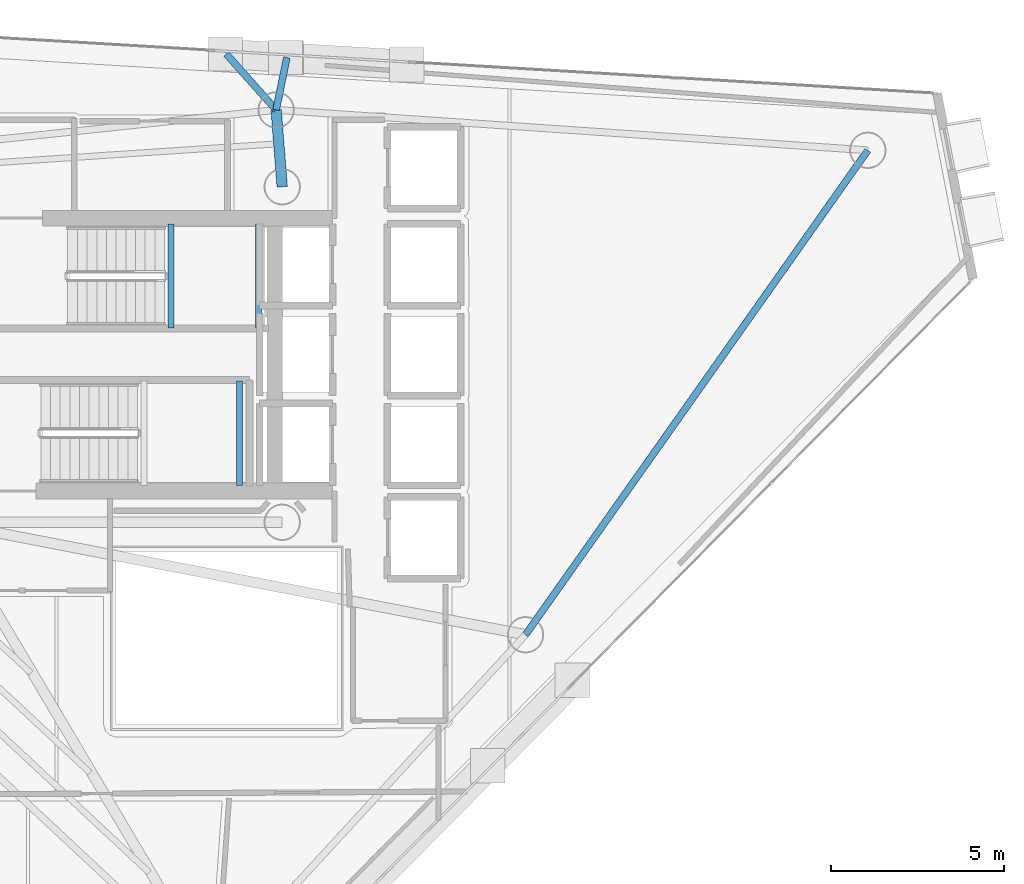
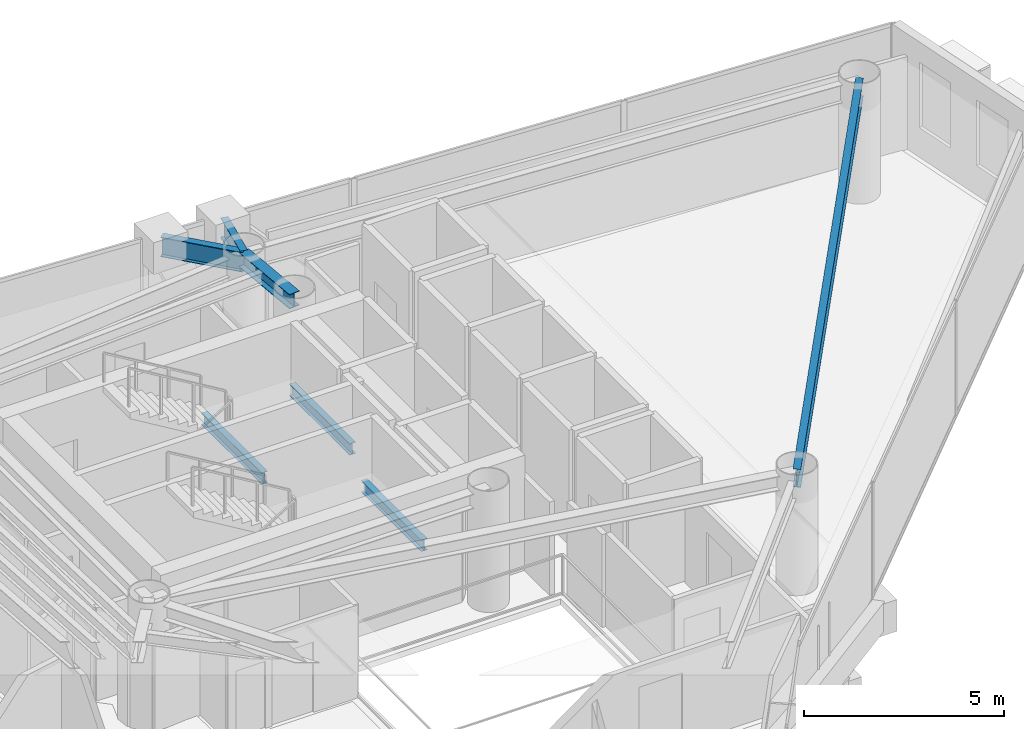
# One storey, part 11 of 20: 7 beams.
"""IFC4 building model written with IfcOpenShell, lengths in metres."""

import ifcopenshell
import ifcopenshell.guid

model = None  # the IFC model being written
_history = None  # IfcOwnerHistory: only IFC2X3 demands one
_inside = {}  # id of a spatial element -> (the spatial element, [elements in it])
_under = {}  # id of a project, library or spatial element -> (it, [spatial elements below it])
_declared = {}  # id of a project -> (the project, [libraries it declares])
_typed = {}  # id of a type object -> (the type object, [elements of that type])
_made_of = {}  # id of a material, layer set ... -> (it, [elements and type objects made of it])


def new_model(schema):
    """Start an empty IFC model of exactly this schema.

    Asked for "IFC4X3", IfcOpenShell would pick the latest addendum, in which some entities
    have other attributes; the version numbers below select the first issue.
    IFC2X3 requires an IfcOwnerHistory on every rooted entity: one is made here for all.
    """
    global model, _history
    if schema == "IFC4X3":
        model = ifcopenshell.file(schema_version=(4, 3, 0, 0))
    else:
        model = ifcopenshell.file(schema=schema)
    _inside.clear()
    _under.clear()
    _declared.clear()
    _typed.clear()
    _made_of.clear()
    _history = None
    if model.schema == "IFC2X3":
        org = make("IfcOrganization", Name="unknown")
        user = make(
            "IfcPersonAndOrganization",
            ThePerson=make("IfcPerson", FamilyName="unknown"),
            TheOrganization=org,
        )
        app = make(
            "IfcApplication",
            ApplicationDeveloper=org,
            Version="unknown",
            ApplicationFullName="unknown",
            ApplicationIdentifier="unknown",
        )
        _history = make(
            "IfcOwnerHistory",
            OwningUser=user,
            OwningApplication=app,
            ChangeAction="ADDED",
            CreationDate=0,
        )
    return model


def make(cls, **values):
    """One entity of the class cls with the attributes given. An attribute that is None is left unset."""
    return model.create_entity(
        cls, **{name: value for name, value in values.items() if value is not None}
    )


def rooted(cls, **values):
    """An entity with a GlobalId (a new one), such as an element, a storey or a relation."""
    return make(cls, GlobalId=ifcopenshell.guid.new(), OwnerHistory=_history, **values)


def si_unit(unit_type, name, prefix=None):
    """IfcSIUnit, for example si_unit("LENGTHUNIT", "METRE", prefix="MILLI")."""
    return make("IfcSIUnit", UnitType=unit_type, Prefix=prefix, Name=name)


def assignment(units):
    """IfcUnitAssignment: the units of a project."""
    return None if units is None else make("IfcUnitAssignment", Units=units)


def point(xyz):
    """IfcCartesianPoint."""
    return None if xyz is None else make("IfcCartesianPoint", Coordinates=xyz)


def direction(xyz):
    """IfcDirection."""
    return None if xyz is None else make("IfcDirection", DirectionRatios=xyz)


def frame(location, z_axis=None, x_axis=None):
    """IfcAxis2Placement3D, a coordinate frame: its origin and axes. An axis left out is left unset."""
    return make(
        "IfcAxis2Placement3D",
        Location=point(location),
        Axis=direction(z_axis),
        RefDirection=direction(x_axis),
    )


def frame_2d(location, x_axis=None):
    """IfcAxis2Placement2D, a coordinate frame in the plane: its origin and x axis."""
    return make(
        "IfcAxis2Placement2D", Location=point(location), RefDirection=direction(x_axis)
    )


def origin():
    """The frame at (0, 0, 0) with its axes left unset."""
    return frame((0.0, 0.0, 0.0))


def origin_2d():
    """The frame at (0, 0) in the plane with its x axis left unset."""
    return frame_2d((0.0, 0.0))


def place(relative_to, where):
    """IfcLocalPlacement: puts the frame where relative to a parent placement (None: the world)."""
    return make(
        "IfcLocalPlacement", PlacementRelTo=relative_to, RelativePlacement=where
    )


def context(
    kind, dimensions, precision=None, world=None, true_north=None, identifier=None
):
    """IfcGeometricRepresentationContext, for example the 3D "Model" context."""
    return make(
        "IfcGeometricRepresentationContext",
        ContextIdentifier=identifier,
        ContextType=kind,
        CoordinateSpaceDimension=dimensions,
        Precision=precision,
        WorldCoordinateSystem=world,
        TrueNorth=true_north,
    )


def subcontext(parent, identifier, kind, view, scale=None):
    """IfcGeometricRepresentationSubContext, for example "Body" below "Model"."""
    return make(
        "IfcGeometricRepresentationSubContext",
        ContextIdentifier=identifier,
        ContextType=kind,
        ParentContext=parent,
        TargetScale=scale,
        TargetView=view,
    )


def project(units=None, contexts=None):
    """IfcProject with its units and contexts."""
    return rooted(
        "IfcProject",
        Name="project",
        RepresentationContexts=contexts,
        UnitsInContext=assignment(units),
    )


def spatial(cls, under=None, at=None, **own):
    """A site, building, storey or space (cls), placed at a placement, below another one or the project."""
    s = rooted(cls, ObjectPlacement=at, **own)
    if under is not None:
        _under.setdefault(under.id(), (under, []))[1].append(s)
    return s


def profile(cls, at=None, kind="AREA", **sizes):
    """A parametric profile (cls). Its sizes go by their IFC names, for example OverallWidth=200.0."""
    return make(cls, ProfileType=kind, Position=at, **sizes)


def i_section(**sizes):
    """IfcIShapeProfileDef."""
    return profile("IfcIShapeProfileDef", **sizes)


def extrude(swept, where, along, depth):
    """IfcExtrudedAreaSolid: the profile swept, set in the frame where, extruded along a direction by depth."""
    return make(
        "IfcExtrudedAreaSolid",
        SweptArea=swept,
        Position=where,
        ExtrudedDirection=direction(along),
        Depth=depth,
    )


def shape(context_of_items, identifier, shape_type, items):
    """IfcShapeRepresentation: the items that make up one representation, for example the "Body"."""
    return make(
        "IfcShapeRepresentation",
        ContextOfItems=context_of_items,
        RepresentationIdentifier=identifier,
        RepresentationType=shape_type,
        Items=items,
    )


def material(Name=None, Category=None):
    """IfcMaterial."""
    return make("IfcMaterial", Name=Name, Category=Category)


def material_profile(
    of_material, cross_section, Name=None, Category=None, Priority=None
):
    """IfcMaterialProfile: a cross section and its material."""
    return make(
        "IfcMaterialProfile",
        Name=Name,
        Material=of_material,
        Profile=cross_section,
        Priority=Priority,
        Category=Category,
    )


def profile_set(profiles, Name=None, composite=None):
    """IfcMaterialProfileSet."""
    return make(
        "IfcMaterialProfileSet",
        Name=Name,
        MaterialProfiles=profiles,
        CompositeProfile=composite,
    )


def made_of(thing, what):
    """Note that an element or type object is made of a material, layer set ...; save() writes the relation."""
    if what is not None:
        _made_of.setdefault(what.id(), (what, []))[1].append(thing)
    return thing


def type_object(cls, material=None, **own):
    """A type object (cls), such as IfcWallType, which elements share."""
    return made_of(rooted(cls, **own), material)


def element(
    cls,
    number,
    at=None,
    inside=None,
    cuts=None,
    type_object=None,
    material=None,
    context=None,
    identifier="Body",
    shape_type=None,
    held_by="IfcProductDefinitionShape",
    body=None,
    shapes=None,
    **own,
):
    """One element of the class cls, such as IfcWall. Its Tag is "e" and its number.

    at: its placement. inside: the storey or other place that contains it. cuts: it is an
    opening in that element (IfcRelVoidsElement). A single representation is given by context,
    identifier, shape_type and body (its items); several are given by shapes. held_by: the class
    of the entity that holds the representations. save() writes the other relations.
    """
    e = rooted(cls, Tag="e%d" % number, ObjectPlacement=at, **own)
    if body is not None:
        shapes = [shape(context, identifier, shape_type, body)]
    if shapes is not None:
        e.Representation = make(held_by, Representations=shapes)
    if inside is not None:
        _inside.setdefault(inside.id(), (inside, []))[1].append(e)
    if cuts is not None:
        rooted(
            "IfcRelVoidsElement", RelatingBuildingElement=cuts, RelatedOpeningElement=e
        )
    if type_object is not None:
        _typed.setdefault(type_object.id(), (type_object, []))[1].append(e)
    return made_of(e, material)


def aggregate(whole, parts):
    """IfcRelAggregates: a whole, such as a stair, and the parts it consists of."""
    return rooted("IfcRelAggregates", RelatingObject=whole, RelatedObjects=parts)


def save(model, path):
    """Write the relations noted so far, then the file.

    IfcRelAggregates (storeys below a building ...), IfcRelContainedInSpatialStructure (elements
    in a storey), IfcRelDefinesByType, IfcRelAssociatesMaterial and IfcRelDeclares: one each for
    every whole, place, type object, material and project.
    """
    for whole, parts in _under.values():
        aggregate(whole, parts)
    for where, things in _inside.values():
        rooted(
            "IfcRelContainedInSpatialStructure",
            RelatedElements=things,
            RelatingStructure=where,
        )
    for kind, things in _typed.values():
        rooted("IfcRelDefinesByType", RelatedObjects=things, RelatingType=kind)
    for what, things in _made_of.values():
        rooted("IfcRelAssociatesMaterial", RelatedObjects=things, RelatingMaterial=what)
    for by, libraries in _declared.values():
        rooted("IfcRelDeclares", RelatingContext=by, RelatedDefinitions=libraries)
    model.write(path)


model = new_model("IFC4")

# Units and contexts
model_context = context("Model", 3, precision=1e-05, world=origin(), true_north=direction((0.0, 1.0)))
body_context = subcontext(model_context, "Body", "Model", "MODEL_VIEW")
ifc_project = project(units=[si_unit("LENGTHUNIT", "METRE"), si_unit("AREAUNIT", "SQUARE_METRE"), si_unit("VOLUMEUNIT", "CUBIC_METRE"), si_unit("PLANEANGLEUNIT", "RADIAN"), si_unit("MASSUNIT", "GRAM", prefix="KILO")], contexts=[model_context])

# Site, building, storey
site_placement = place(None, origin())
site = spatial("IfcSite", under=ifc_project, at=site_placement, CompositionType="ELEMENT")
building_placement = place(site_placement, origin())
building = spatial("IfcBuilding", under=site, at=building_placement, Name="Qianvela Tower", CompositionType="ELEMENT")
storey_placement = place(building_placement, frame((0.0, 0.0, 239.0)))
storey = spatial("IfcBuildingStorey", under=building, at=storey_placement, Name="L61", CompositionType="ELEMENT", Elevation=239.0)

# Beams
ifc_material_1 = material(Name="Steel Q355B", Category="steel")
ifc_material_profile_1 = material_profile(ifc_material_1, i_section(OverallWidth=0.300048828125, OverallDepth=0.43994140625, WebThickness=0.010986328125, FlangeThickness=0.01806640625, at=origin_2d()), Name="HM440x300x11x18")
ifc_profile_set_1 = profile_set([ifc_material_profile_1], Name="Steel Q355B")
beam_type_1 = type_object("IfcBeamType", Name="BM-HM440-COLL", PredefinedType="BEAM", material=ifc_profile_set_1)
beam_1_placement = place(storey_placement, frame((38.39990234375, 33.550048828125, 3.298095703125), z_axis=(-0.078396085685, 0.996922290727, 0.0), x_axis=(-0.996922290727, -0.078396085685, 0.0)))
element("IfcBeam", 1, at=beam_1_placement, inside=storey, type_object=beam_type_1, Name="L61 Radial Primary Floor Girder 2", PredefinedType="BEAM", context=body_context, shape_type="SweptSolid", body=[
    extrude(i_section(OverallWidth=0.300048828125, OverallDepth=0.43994140625, WebThickness=0.010986328125, FlangeThickness=0.01806640625, at=origin_2d()), origin(), (0.0, 0.0, 1.0), 2.229736328125),
])
ifc_material_2 = material(Name="Steel Q355B", Category="steel")
ifc_material_profile_2 = material_profile(ifc_material_2, i_section(OverallWidth=0.175048828125, OverallDepth=0.35009765625, WebThickness=0.007080078125, FlangeThickness=0.010986328125, at=origin_2d()), Name="HN350x175x7x11")
ifc_profile_set_2 = profile_set([ifc_material_profile_2], Name="Steel Q355B")
beam_type_2 = type_object("IfcBeamType", Name="BM-HN350-JOIST", PredefinedType="JOIST", material=ifc_profile_set_2)
for number, where, z_axis, x_axis, name in (
    (2, (35.179931640625, 29.4599609375, 1.47509765625), (0.0, 1.0, 0.0), (-1.0, 0.0, 0.0), "L61 Stair ST-1 Landing Support Beam 1.1"),
    (3, (37.719970703125, 29.4599609375, 1.47509765625), (0.0, 1.0, 0.0), (-1.0, 0.0, 0.0), "L61 Stair ST-1 Landing Support Beam 1.2"),
    (4, (37.169921875, 24.919921875, 1.47509765625), (0.0, 1.0, 0.0), (-1.0, 0.0, 0.0), "L61 Stair ST-2 Landing Support Beam 1.2"),
):
    element("IfcBeam", number, at=place(storey_placement, frame(where, z_axis=z_axis, x_axis=x_axis)), inside=storey, type_object=beam_type_2, Name=name, PredefinedType="JOIST", context=body_context, shape_type="SweptSolid", body=[
        extrude(i_section(OverallWidth=0.175048828125, OverallDepth=0.35009765625, WebThickness=0.007080078125, FlangeThickness=0.010986328125, at=origin_2d()), origin(), (0.0, 0.0, 1.0), 3.02001953125),
    ])
ifc_material_3 = material(Name="Steel Q355B", Category="steel")
ifc_material_profile_3 = material_profile(ifc_material_3, i_section(OverallWidth=0.199951171875, OverallDepth=0.550048828125, WebThickness=0.010009765625, FlangeThickness=0.01611328125, at=origin_2d()), Name="HN550x200x10x16")
ifc_profile_set_3 = profile_set([ifc_material_profile_3], Name="Steel Q355B")
beam_type_3 = type_object("IfcBeamType", Name="BM-HN550-GIRD", PredefinedType="BEAM", material=ifc_profile_set_3)
beam_2_placement = place(storey_placement, frame((45.43603515625, 20.597900390625, 3.242919921875), z_axis=(0.577019604961, 0.816730295441, 0.0), x_axis=(-0.816730295441, 0.577019604961, 0.0)))
element("IfcBeam", 5, at=beam_2_placement, inside=storey, type_object=beam_type_3, Name="L61 Perimeter Ring Spandrel Girder 6", PredefinedType="BEAM", context=body_context, shape_type="SweptSolid", body=[
    extrude(i_section(OverallWidth=0.199951171875, OverallDepth=0.550048828125, WebThickness=0.010009765625, FlangeThickness=0.01611328125, at=origin_2d()), origin(), (0.0, 0.0, 1.0), 17.150146484375),
])
ifc_material_4 = material(Name="Steel Q355B", Category="steel")
ifc_material_profile_4 = material_profile(ifc_material_4, i_section(OverallWidth=0.199951171875, OverallDepth=0.60009765625, WebThickness=0.010986328125, FlangeThickness=0.01708984375, at=origin_2d()), Name="HN600x200x11x17")
ifc_profile_set_4 = profile_set([ifc_material_profile_4], Name="Steel Q355B")
beam_type_4 = type_object("IfcBeamType", Name="BM-HN600-GIRD", PredefinedType="BEAM", material=ifc_profile_set_4)
beam_3_placement = place(storey_placement, frame((38.22509765625, 35.77294921875, 3.218017578125), z_axis=(0.200768961201, 0.979638619195, 0.0), x_axis=(-0.979638619195, 0.200768961201, 0.0)))
element("IfcBeam", 6, at=beam_3_placement, inside=storey, type_object=beam_type_4, Name="L61 Mega-Brace Column Tie Bracket F1-1", PredefinedType="BEAM", context=body_context, shape_type="SweptSolid", body=[
    extrude(i_section(OverallWidth=0.199951171875, OverallDepth=0.60009765625, WebThickness=0.010986328125, FlangeThickness=0.01708984375, at=origin_2d()), origin(), (0.0, 0.0, 1.0), 1.543212890625),
])
beam_4_placement = place(storey_placement, frame((38.22509765625, 35.77294921875, 3.218017578125), z_axis=(-0.665378726459, 0.74650596138, 0.0), x_axis=(-0.74650596138, -0.665378726459, 0.0)))
element("IfcBeam", 7, at=beam_4_placement, inside=storey, type_object=beam_type_4, Name="L61 Mega-Brace Column Tie Bracket F1-2", PredefinedType="BEAM", context=body_context, shape_type="SweptSolid", body=[
    extrude(i_section(OverallWidth=0.199951171875, OverallDepth=0.60009765625, WebThickness=0.010986328125, FlangeThickness=0.01708984375, at=origin_2d()), origin(), (0.0, 0.0, 1.0), 2.163818359375),
])

save(model, "model.ifc")
